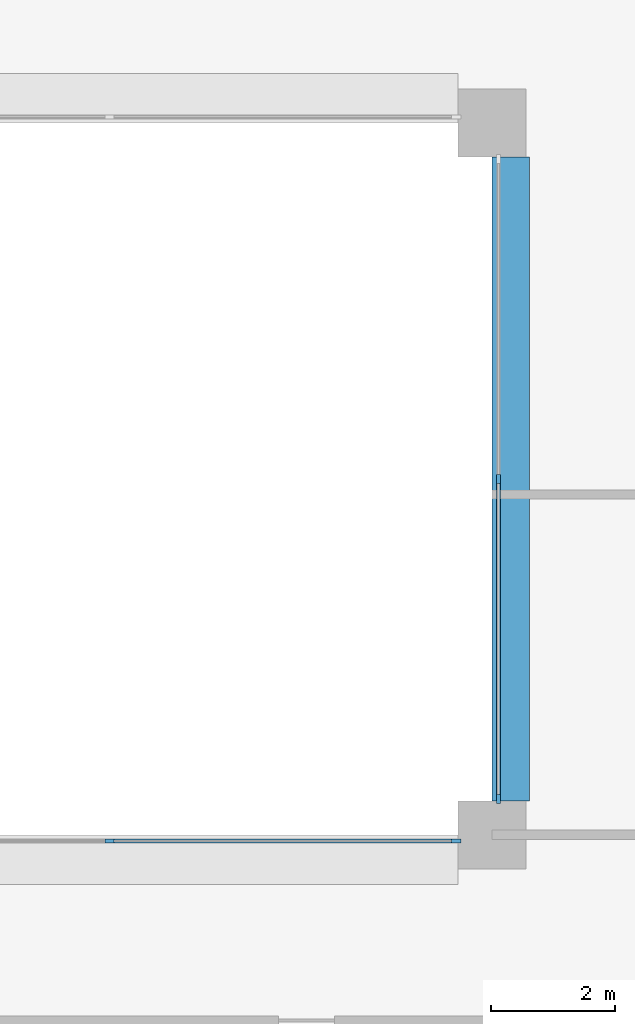
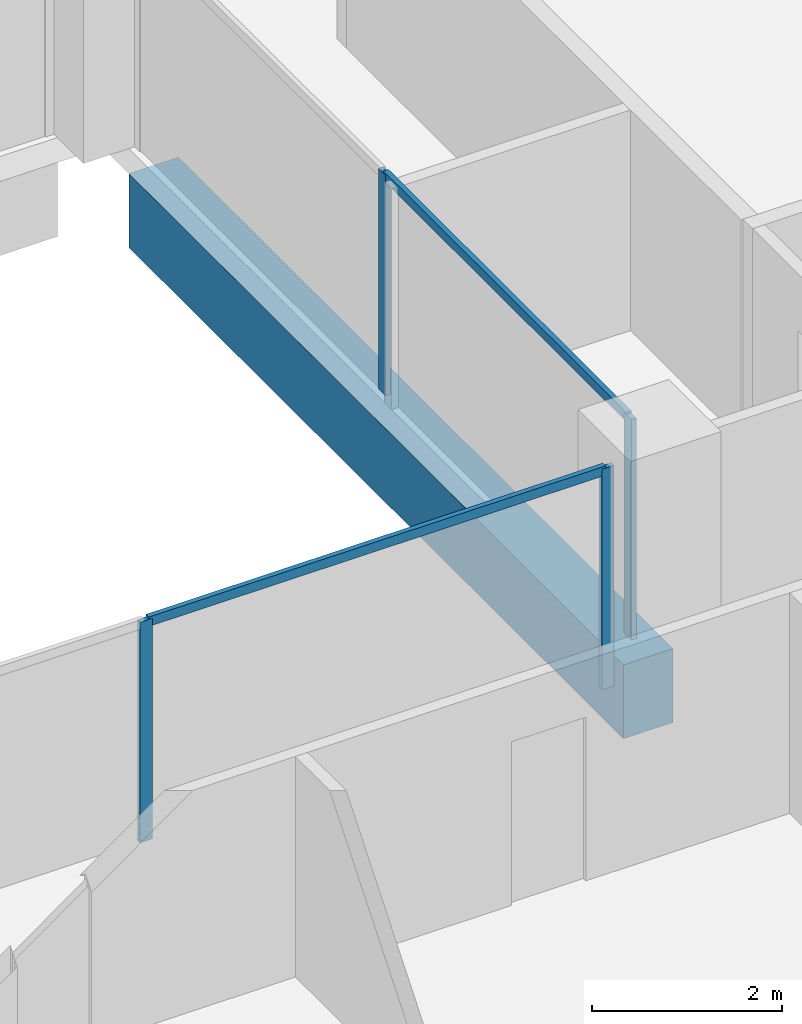
# One storey, part 4 of 16: 6 members, 1 beam, 2 elements without a shape of their own.
"""IFC4 building model written with IfcOpenShell, lengths in metres."""

from ifc_helpers import new_model, si_unit, direction, frame, origin, origin_2d, place, context, subcontext, project, spatial, rectangle, extrude, material, layer, layer_set, material_profile, profile_set, type_object, element, aggregate, save


model = new_model("IFC4")

# Units and contexts
model_context = context("Model", 3, precision=1e-05, world=origin(), true_north=direction((0.0, 1.0)))
body_context = subcontext(model_context, "Body", "Model", "MODEL_VIEW")
ifc_project = project(units=[si_unit("LENGTHUNIT", "METRE"), si_unit("AREAUNIT", "SQUARE_METRE"), si_unit("VOLUMEUNIT", "CUBIC_METRE"), si_unit("PLANEANGLEUNIT", "RADIAN"), si_unit("MASSUNIT", "GRAM", prefix="KILO")], contexts=[model_context])

# Site, building, storey
site_placement = place(None, origin())
site = spatial("IfcSite", under=ifc_project, at=site_placement, CompositionType="ELEMENT")
building_placement = place(site_placement, origin())
building = spatial("IfcBuilding", under=site, at=building_placement, Name="Brigalow Station Residences", CompositionType="ELEMENT")
storey_placement = place(building_placement, frame((0.0, 0.0, 160.199951171875)))
storey = spatial("IfcBuildingStorey", under=building, at=storey_placement, Name="L46", CompositionType="ELEMENT", Elevation=160.199951171875)

# Beam
ifc_material_1 = material(Name="Concrete C65", Category="concrete")
ifc_material_profile_1 = material_profile(ifc_material_1, rectangle(XDim=0.60009765625, YDim=0.949951171875, at=origin_2d()), Name="RC600x950")
ifc_profile_set_1 = profile_set([ifc_material_profile_1], Name="Concrete C65")
beam_type = type_object("IfcBeamType", Name="ATRIUM EDGE GIRDER 600x950 C65", PredefinedType="BEAM", material=ifc_profile_set_1)
beam_placement = place(storey_placement, frame((45.300048828125, 24.550048828125, -0.794921875), z_axis=(0.0, 1.0, 0.0), x_axis=(-1.0, 0.0, 0.0)))
element("IfcBeam", 1, at=beam_placement, inside=storey, type_object=beam_type, Name="ATRIUM EDGE GIRDER 5 L46", PredefinedType="BEAM", context=body_context, shape_type="SweptSolid", body=[
    extrude(rectangle(XDim=0.60009765625, YDim=0.949951171875, at=origin_2d()), origin(), (0.0, 0.0, 1.0), 10.39990234375),
])

# Curtain wall, members
ifc_material_2 = material(Name="Aluminium", Category="aluminium")
ifc_layer = layer(ifc_material_2, 0.14990234375)
ifc_layer_set = layer_set([ifc_layer], Name="ATRIUM FIRE-RATED GLAZING CURTAIN WALL")
curtain_wall_type = type_object("IfcCurtainWallType", Name="ATRIUM FIRE-RATED GLAZING CURTAIN WALL", PredefinedType="NOTDEFINED", material=ifc_layer_set)
curtain_wall_1_placement = place(storey_placement, origin())
curtain_wall_1 = element("IfcCurtainWall", 2, at=curtain_wall_1_placement, inside=storey, type_object=curtain_wall_type, Name="L46/cw/atrium-S", PredefinedType="NOTDEFINED")
ifc_material_3 = material(Name="Aluminium", Category="aluminium")
ifc_material_profile_2 = material_profile(ifc_material_3, rectangle(XDim=0.06005859375, YDim=0.14990234375, at=origin_2d()), Name="ATRIUM FIRE-RATED GLAZING MULLION 60x150")
ifc_profile_set_2 = profile_set([ifc_material_profile_2], Name="Aluminium")
member_type_1 = type_object("IfcMemberType", Name="ATRIUM FIRE-RATED GLAZING MULLION 60x150", PredefinedType="MULLION", material=ifc_profile_set_2)
member_1_placement = place(storey_placement, frame((38.816650390625, 23.89990234375, 0.0), z_axis=(0.0, 0.0, 1.0), x_axis=(0.0, 1.0, 0.0)))
member_1 = element("IfcMember", 3, at=member_1_placement, type_object=member_type_1, Name="L46/cw/atrium-S/M02", PredefinedType="MULLION", context=body_context, shape_type="SweptSolid", body=[
    extrude(rectangle(XDim=0.06005859375, YDim=0.14990234375, at=origin_2d()), origin(), (0.0, 0.0, 1.0), 2.830078125),
])
member_2_placement = place(storey_placement, frame((44.419921875, 23.89990234375, 0.0), z_axis=(0.0, 0.0, 1.0), x_axis=(0.0, 1.0, 0.0)))
member_2 = element("IfcMember", 4, at=member_2_placement, type_object=member_type_1, Name="L46/cw/atrium-S/M03", PredefinedType="MULLION", context=body_context, shape_type="SweptSolid", body=[
    extrude(rectangle(XDim=0.06005859375, YDim=0.14990234375, at=origin_2d()), origin(), (0.0, 0.0, 1.0), 2.830078125),
])

curtain_wall_2_placement = place(storey_placement, origin())
curtain_wall_2 = element("IfcCurtainWall", 5, at=curtain_wall_2_placement, inside=storey, type_object=curtain_wall_type, Name="L46/cw/atrium-E", PredefinedType="NOTDEFINED")
member_3_placement = place(storey_placement, frame((45.10009765625, 24.580078125, 0.0), z_axis=(0.0, 0.0, 1.0), x_axis=(-1.0, 0.0, 0.0)))
member_3 = element("IfcMember", 6, at=member_3_placement, type_object=member_type_1, Name="L46/cw/atrium-E/M00", PredefinedType="MULLION", context=body_context, shape_type="SweptSolid", body=[
    extrude(rectangle(XDim=0.06005859375, YDim=0.14990234375, at=origin_2d()), origin(), (0.0, 0.0, 1.0), 2.830078125),
])
member_4_placement = place(storey_placement, frame((45.10009765625, 29.75, 0.0), z_axis=(0.0, 0.0, 1.0), x_axis=(-1.0, 0.0, 0.0)))
member_4 = element("IfcMember", 7, at=member_4_placement, type_object=member_type_1, Name="L46/cw/atrium-E/M01", PredefinedType="MULLION", context=body_context, shape_type="SweptSolid", body=[
    extrude(rectangle(XDim=0.06005859375, YDim=0.14990234375, at=origin_2d()), origin(), (0.0, 0.0, 1.0), 2.830078125),
])

# Member
ifc_material_4 = material(Name="Aluminium", Category="aluminium")
ifc_material_profile_3 = material_profile(ifc_material_4, rectangle(XDim=0.06005859375, YDim=0.1201171875, at=origin_2d()), Name="ATRIUM FIRE-RATED GLAZING TRANSOM 60x120")
ifc_profile_set_3 = profile_set([ifc_material_profile_3], Name="Aluminium")
member_type_2 = type_object("IfcMemberType", Name="ATRIUM FIRE-RATED GLAZING TRANSOM 60x120", PredefinedType="USERDEFINED", material=ifc_profile_set_3)
member_5_placement = place(storey_placement, frame((38.8466796875, 23.89990234375, 2.800048828125), z_axis=(1.0, 0.0, 0.0), x_axis=(0.0, 1.0, 0.0)))
member_5 = element("IfcMember", 8, at=member_5_placement, type_object=member_type_2, Name="L46/cw/atrium-S/T02-00", ObjectType="TRANSOM", PredefinedType="USERDEFINED", context=body_context, shape_type="SweptSolid", body=[
    extrude(rectangle(XDim=0.06005859375, YDim=0.1201171875, at=origin_2d()), origin(), (0.0, 0.0, 1.0), 5.543212890625),
])

aggregate(curtain_wall_1, [member_1, member_2, member_5])

member_6_placement = place(storey_placement, frame((45.10009765625, 24.610107421875, 2.800048828125), z_axis=(0.0, 1.0, 0.0), x_axis=(-1.0, 0.0, 0.0)))
member_6 = element("IfcMember", 9, at=member_6_placement, type_object=member_type_2, Name="L46/cw/atrium-E/T00-00", ObjectType="TRANSOM", PredefinedType="USERDEFINED", context=body_context, shape_type="SweptSolid", body=[
    extrude(rectangle(XDim=0.06005859375, YDim=0.1201171875, at=origin_2d()), origin(), (0.0, 0.0, 1.0), 5.10986328125),
])

aggregate(curtain_wall_2, [member_3, member_4, member_6])

save(model, "model.ifc")
